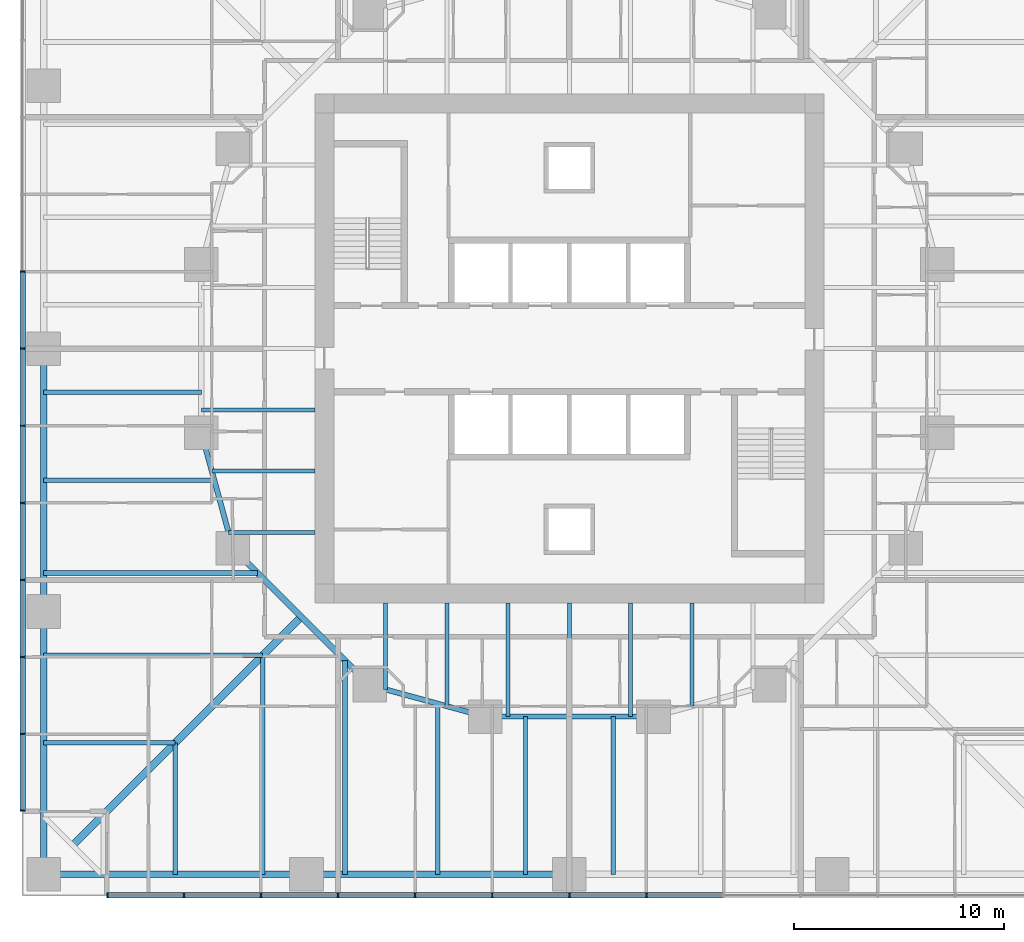
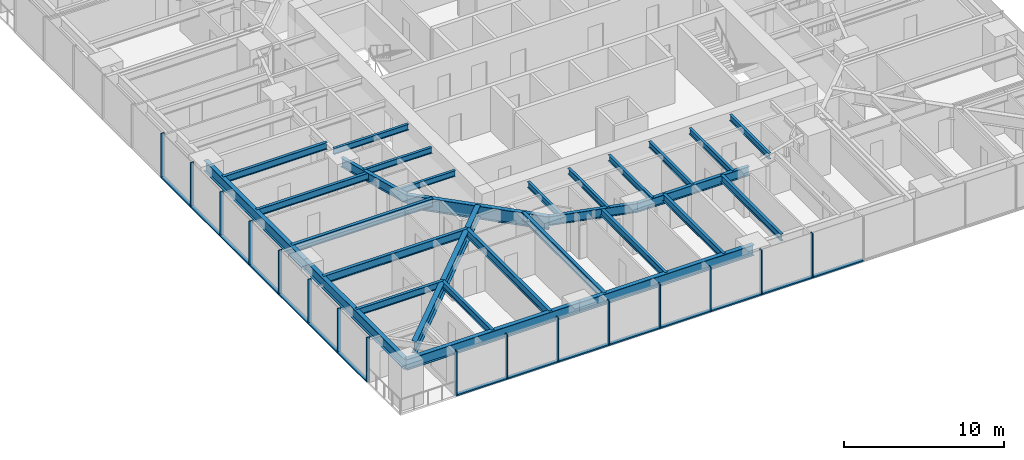
# One storey, part 2 of 17: 31 members, 29 beams, 2 elements without a shape of their own.
"""IFC4 building model written with IfcOpenShell, lengths in metres."""

from ifc_helpers import new_model, si_unit, direction, frame, origin, origin_2d, place, context, subcontext, project, spatial, rectangle, i_section, extrude, material, material_profile, profile_set, type_object, element, aggregate, save


model = new_model("IFC4")

# Units and contexts
model_context = context("Model", 3, precision=1e-05, world=origin(), true_north=direction((0.0, 1.0)))
body_context = subcontext(model_context, "Body", "Model", "MODEL_VIEW")
ifc_project = project(units=[si_unit("LENGTHUNIT", "METRE"), si_unit("AREAUNIT", "SQUARE_METRE"), si_unit("VOLUMEUNIT", "CUBIC_METRE"), si_unit("PLANEANGLEUNIT", "RADIAN"), si_unit("MASSUNIT", "GRAM", prefix="KILO")], contexts=[model_context])

# Site, building, storey
site_placement = place(None, origin())
site = spatial("IfcSite", under=ifc_project, at=site_placement, CompositionType="ELEMENT")
building_placement = place(site_placement, origin())
building = spatial("IfcBuilding", under=site, at=building_placement, Name="Torsade Residences", CompositionType="ELEMENT")
storey_placement = place(building_placement, frame((0.0, 0.0, 18.39990234375)))
storey = spatial("IfcBuildingStorey", under=building, at=storey_placement, Name="L04", CompositionType="ELEMENT", Elevation=18.39990234375)

# Beam
ifc_material_1 = material(Name="Steel grade 300", Category="steel")
ifc_material_profile_1 = material_profile(ifc_material_1, i_section(OverallWidth=0.35009765625, OverallDepth=0.909912109375, WebThickness=0.011962890625, FlangeThickness=0.02490234375, at=origin_2d()), Name="900WB218")
ifc_profile_set_1 = profile_set([ifc_material_profile_1], Name="Steel grade 300")
beam_type_1 = type_object("IfcBeamType", Name="CORNER GIRDER 900WB218", PredefinedType="BEAM", material=ifc_profile_set_1)
beam_1_placement = place(storey_placement, frame((16.375, 6.375, 2.795166015625), z_axis=(0.707106781187, 0.707106781187, 0.0), x_axis=(-0.707106781187, 0.707106781187, 0.0)))
element("IfcBeam", 1, at=beam_1_placement, inside=storey, type_object=beam_type_1, Name="Corner girder 01 L05", PredefinedType="BEAM", context=body_context, shape_type="SweptSolid", body=[
    extrude(i_section(OverallWidth=0.35009765625, OverallDepth=0.909912109375, WebThickness=0.011962890625, FlangeThickness=0.02490234375, at=origin_2d()), origin(), (0.0, 0.0, 1.0), 15.379638671875),
])

# Curtain wall, members
ifc_material_2 = material(Name="Aluminium and glass", Category="aluminium")
curtain_wall_type = type_object("IfcCurtainWallType", Name="FRITTED GLASS CURTAIN WALL LOW ZONE", PredefinedType="NOTDEFINED", material=ifc_material_2)
curtain_wall_1_placement = place(storey_placement, origin())
curtain_wall_1 = element("IfcCurtainWall", 2, at=curtain_wall_1_placement, inside=storey, type_object=curtain_wall_type, Name="Curtain wall L04 face 1", PredefinedType="NOTDEFINED")
ifc_material_3 = material(Name="Aluminium mullion", Category="aluminium")
ifc_material_profile_2 = material_profile(ifc_material_3, rectangle(XDim=0.25, YDim=0.06494140625, at=origin_2d()), Name="CURTAIN WALL MULLION 250x65")
ifc_profile_set_2 = profile_set([ifc_material_profile_2], Name="Aluminium mullion")
member_type_1 = type_object("IfcMemberType", Name="CURTAIN WALL MULLION 250x65", PredefinedType="MULLION", material=ifc_profile_set_2)
member_1_placement = place(storey_placement, frame((18.032470703125, 4.0, 0.0), z_axis=(0.0, 0.0, 1.0), x_axis=(0.0, 1.0, 0.0)))
member_1 = element("IfcMember", 3, at=member_1_placement, type_object=member_type_1, Name="Mullion 1", PredefinedType="MULLION", context=body_context, shape_type="SweptSolid", body=[
    extrude(rectangle(XDim=0.25, YDim=0.06494140625, at=origin_2d()), origin(), (0.0, 0.0, 1.0), 3.400146484375),
])
member_2_placement = place(storey_placement, frame((21.666748046875, 4.0, 0.0), z_axis=(0.0, 0.0, 1.0), x_axis=(0.0, 1.0, 0.0)))
member_2 = element("IfcMember", 4, at=member_2_placement, type_object=member_type_1, Name="Mullion 2", PredefinedType="MULLION", context=body_context, shape_type="SweptSolid", body=[
    extrude(rectangle(XDim=0.25, YDim=0.06494140625, at=origin_2d()), origin(), (0.0, 0.0, 1.0), 3.400146484375),
])
member_3_placement = place(storey_placement, frame((25.333251953125, 4.0, 0.0), z_axis=(0.0, 0.0, 1.0), x_axis=(0.0, 1.0, 0.0)))
member_3 = element("IfcMember", 5, at=member_3_placement, type_object=member_type_1, Name="Mullion 3", PredefinedType="MULLION", context=body_context, shape_type="SweptSolid", body=[
    extrude(rectangle(XDim=0.25, YDim=0.06494140625, at=origin_2d()), origin(), (0.0, 0.0, 1.0), 3.400146484375),
])
member_4_placement = place(storey_placement, frame((29.0, 4.0, 0.0), z_axis=(0.0, 0.0, 1.0), x_axis=(0.0, 1.0, 0.0)))
member_4 = element("IfcMember", 6, at=member_4_placement, type_object=member_type_1, Name="Mullion 4", PredefinedType="MULLION", context=body_context, shape_type="SweptSolid", body=[
    extrude(rectangle(XDim=0.25, YDim=0.06494140625, at=origin_2d()), origin(), (0.0, 0.0, 1.0), 3.400146484375),
])
member_5_placement = place(storey_placement, frame((32.666748046875, 4.0, 0.0), z_axis=(0.0, 0.0, 1.0), x_axis=(0.0, 1.0, 0.0)))
member_5 = element("IfcMember", 7, at=member_5_placement, type_object=member_type_1, Name="Mullion 5", PredefinedType="MULLION", context=body_context, shape_type="SweptSolid", body=[
    extrude(rectangle(XDim=0.25, YDim=0.06494140625, at=origin_2d()), origin(), (0.0, 0.0, 1.0), 3.400146484375),
])
member_6_placement = place(storey_placement, frame((36.333251953125, 4.0, 0.0), z_axis=(0.0, 0.0, 1.0), x_axis=(0.0, 1.0, 0.0)))
member_6 = element("IfcMember", 8, at=member_6_placement, type_object=member_type_1, Name="Mullion 6", PredefinedType="MULLION", context=body_context, shape_type="SweptSolid", body=[
    extrude(rectangle(XDim=0.25, YDim=0.06494140625, at=origin_2d()), origin(), (0.0, 0.0, 1.0), 3.400146484375),
])
member_7_placement = place(storey_placement, frame((40.0, 4.0, 0.0), z_axis=(0.0, 0.0, 1.0), x_axis=(0.0, 1.0, 0.0)))
member_7 = element("IfcMember", 9, at=member_7_placement, type_object=member_type_1, Name="Mullion 7", PredefinedType="MULLION", context=body_context, shape_type="SweptSolid", body=[
    extrude(rectangle(XDim=0.25, YDim=0.06494140625, at=origin_2d()), origin(), (0.0, 0.0, 1.0), 3.400146484375),
])
member_8_placement = place(storey_placement, frame((43.666748046875, 4.0, 0.0), z_axis=(0.0, 0.0, 1.0), x_axis=(0.0, 1.0, 0.0)))
member_8 = element("IfcMember", 10, at=member_8_placement, type_object=member_type_1, Name="Mullion 8", PredefinedType="MULLION", context=body_context, shape_type="SweptSolid", body=[
    extrude(rectangle(XDim=0.25, YDim=0.06494140625, at=origin_2d()), origin(), (0.0, 0.0, 1.0), 3.400146484375),
])

curtain_wall_2_placement = place(storey_placement, origin())
curtain_wall_2 = element("IfcCurtainWall", 11, at=curtain_wall_2_placement, inside=storey, type_object=curtain_wall_type, Name="Curtain wall L04 face 10", PredefinedType="NOTDEFINED")
member_9_placement = place(storey_placement, frame((14.0, 33.666748046875, 0.0), z_axis=(0.0, 0.0, 1.0), x_axis=(1.0, 0.0, 0.0)))
member_9 = element("IfcMember", 12, at=member_9_placement, type_object=member_type_1, Name="Mullion 6", PredefinedType="MULLION", context=body_context, shape_type="SweptSolid", body=[
    extrude(rectangle(XDim=0.25, YDim=0.06494140625, at=origin_2d()), origin(), (0.0, 0.0, 1.0), 3.400146484375),
])
member_10_placement = place(storey_placement, frame((14.0, 30.0, 0.0), z_axis=(0.0, 0.0, 1.0), x_axis=(1.0, 0.0, 0.0)))
member_10 = element("IfcMember", 13, at=member_10_placement, type_object=member_type_1, Name="Mullion 7", PredefinedType="MULLION", context=body_context, shape_type="SweptSolid", body=[
    extrude(rectangle(XDim=0.25, YDim=0.06494140625, at=origin_2d()), origin(), (0.0, 0.0, 1.0), 3.400146484375),
])
member_11_placement = place(storey_placement, frame((14.0, 26.333251953125, 0.0), z_axis=(0.0, 0.0, 1.0), x_axis=(1.0, 0.0, 0.0)))
member_11 = element("IfcMember", 14, at=member_11_placement, type_object=member_type_1, Name="Mullion 8", PredefinedType="MULLION", context=body_context, shape_type="SweptSolid", body=[
    extrude(rectangle(XDim=0.25, YDim=0.06494140625, at=origin_2d()), origin(), (0.0, 0.0, 1.0), 3.400146484375),
])
member_12_placement = place(storey_placement, frame((14.0, 22.666748046875, 0.0), z_axis=(0.0, 0.0, 1.0), x_axis=(1.0, 0.0, 0.0)))
member_12 = element("IfcMember", 15, at=member_12_placement, type_object=member_type_1, Name="Mullion 9", PredefinedType="MULLION", context=body_context, shape_type="SweptSolid", body=[
    extrude(rectangle(XDim=0.25, YDim=0.06494140625, at=origin_2d()), origin(), (0.0, 0.0, 1.0), 3.400146484375),
])
member_13_placement = place(storey_placement, frame((14.0, 19.0, 0.0), z_axis=(0.0, 0.0, 1.0), x_axis=(1.0, 0.0, 0.0)))
member_13 = element("IfcMember", 16, at=member_13_placement, type_object=member_type_1, Name="Mullion 10", PredefinedType="MULLION", context=body_context, shape_type="SweptSolid", body=[
    extrude(rectangle(XDim=0.25, YDim=0.06494140625, at=origin_2d()), origin(), (0.0, 0.0, 1.0), 3.400146484375),
])
member_14_placement = place(storey_placement, frame((14.0, 15.333251953125, 0.0), z_axis=(0.0, 0.0, 1.0), x_axis=(1.0, 0.0, 0.0)))
member_14 = element("IfcMember", 17, at=member_14_placement, type_object=member_type_1, Name="Mullion 11", PredefinedType="MULLION", context=body_context, shape_type="SweptSolid", body=[
    extrude(rectangle(XDim=0.25, YDim=0.06494140625, at=origin_2d()), origin(), (0.0, 0.0, 1.0), 3.400146484375),
])
member_15_placement = place(storey_placement, frame((14.0, 11.666748046875, 0.0), z_axis=(0.0, 0.0, 1.0), x_axis=(1.0, 0.0, 0.0)))
member_15 = element("IfcMember", 18, at=member_15_placement, type_object=member_type_1, Name="Mullion 12", PredefinedType="MULLION", context=body_context, shape_type="SweptSolid", body=[
    extrude(rectangle(XDim=0.25, YDim=0.06494140625, at=origin_2d()), origin(), (0.0, 0.0, 1.0), 3.400146484375),
])
member_16_placement = place(storey_placement, frame((14.0, 8.032470703125, 0.0), z_axis=(0.0, 0.0, 1.0), x_axis=(1.0, 0.0, 0.0)))
member_16 = element("IfcMember", 19, at=member_16_placement, type_object=member_type_1, Name="Mullion 13", PredefinedType="MULLION", context=body_context, shape_type="SweptSolid", body=[
    extrude(rectangle(XDim=0.25, YDim=0.06494140625, at=origin_2d()), origin(), (0.0, 0.0, 1.0), 3.400146484375),
])

# Member
ifc_material_4 = material(Name="Aluminium transom", Category="aluminium")
ifc_material_profile_3 = material_profile(ifc_material_4, rectangle(XDim=0.25, YDim=0.10009765625, at=origin_2d()), Name="CURTAIN WALL TRANSOM 250x100")
ifc_profile_set_3 = profile_set([ifc_material_profile_3], Name="Aluminium transom")
member_type_2 = type_object("IfcMemberType", Name="CURTAIN WALL TRANSOM 250x100", PredefinedType="USERDEFINED", material=ifc_profile_set_3)
member_17_placement = place(storey_placement, frame((18.06494140625, 4.0, 0.050048828125), z_axis=(1.0, 0.0, 0.0), x_axis=(0.0, 1.0, 0.0)))
member_17 = element("IfcMember", 20, at=member_17_placement, type_object=member_type_2, Name="Transom 1.1", ObjectType="TRANSOM", PredefinedType="USERDEFINED", context=body_context, shape_type="SweptSolid", body=[
    extrude(rectangle(XDim=0.25, YDim=0.10009765625, at=origin_2d()), origin(), (0.0, 0.0, 1.0), 3.5693359375),
])

member_18_placement = place(storey_placement, frame((21.69921875, 4.0, 0.050048828125), z_axis=(1.0, 0.0, 0.0), x_axis=(0.0, 1.0, 0.0)))
member_18 = element("IfcMember", 21, at=member_18_placement, type_object=member_type_2, Name="Transom 2.1", ObjectType="TRANSOM", PredefinedType="USERDEFINED", context=body_context, shape_type="SweptSolid", body=[
    extrude(rectangle(XDim=0.25, YDim=0.10009765625, at=origin_2d()), origin(), (0.0, 0.0, 1.0), 3.6015625),
])

member_19_placement = place(storey_placement, frame((25.36572265625, 4.0, 0.050048828125), z_axis=(1.0, 0.0, 0.0), x_axis=(0.0, 1.0, 0.0)))
member_19 = element("IfcMember", 22, at=member_19_placement, type_object=member_type_2, Name="Transom 3.1", ObjectType="TRANSOM", PredefinedType="USERDEFINED", context=body_context, shape_type="SweptSolid", body=[
    extrude(rectangle(XDim=0.25, YDim=0.10009765625, at=origin_2d()), origin(), (0.0, 0.0, 1.0), 3.601806640625),
])

member_20_placement = place(storey_placement, frame((29.032470703125, 4.0, 0.050048828125), z_axis=(1.0, 0.0, 0.0), x_axis=(0.0, 1.0, 0.0)))
member_20 = element("IfcMember", 23, at=member_20_placement, type_object=member_type_2, Name="Transom 4.1", ObjectType="TRANSOM", PredefinedType="USERDEFINED", context=body_context, shape_type="SweptSolid", body=[
    extrude(rectangle(XDim=0.25, YDim=0.10009765625, at=origin_2d()), origin(), (0.0, 0.0, 1.0), 3.601806640625),
])

member_21_placement = place(storey_placement, frame((32.69921875, 4.0, 0.050048828125), z_axis=(1.0, 0.0, 0.0), x_axis=(0.0, 1.0, 0.0)))
member_21 = element("IfcMember", 24, at=member_21_placement, type_object=member_type_2, Name="Transom 5.1", ObjectType="TRANSOM", PredefinedType="USERDEFINED", context=body_context, shape_type="SweptSolid", body=[
    extrude(rectangle(XDim=0.25, YDim=0.10009765625, at=origin_2d()), origin(), (0.0, 0.0, 1.0), 3.6015625),
])

member_22_placement = place(storey_placement, frame((36.36572265625, 4.0, 0.050048828125), z_axis=(1.0, 0.0, 0.0), x_axis=(0.0, 1.0, 0.0)))
member_22 = element("IfcMember", 25, at=member_22_placement, type_object=member_type_2, Name="Transom 6.1", ObjectType="TRANSOM", PredefinedType="USERDEFINED", context=body_context, shape_type="SweptSolid", body=[
    extrude(rectangle(XDim=0.25, YDim=0.10009765625, at=origin_2d()), origin(), (0.0, 0.0, 1.0), 3.601806640625),
])

member_23_placement = place(storey_placement, frame((40.032470703125, 4.0, 0.050048828125), z_axis=(1.0, 0.0, 0.0), x_axis=(0.0, 1.0, 0.0)))
member_23 = element("IfcMember", 26, at=member_23_placement, type_object=member_type_2, Name="Transom 7.1", ObjectType="TRANSOM", PredefinedType="USERDEFINED", context=body_context, shape_type="SweptSolid", body=[
    extrude(rectangle(XDim=0.25, YDim=0.10009765625, at=origin_2d()), origin(), (0.0, 0.0, 1.0), 3.601806640625),
])

member_24_placement = place(storey_placement, frame((43.69921875, 4.0, 0.050048828125), z_axis=(1.0, 0.0, 0.0), x_axis=(0.0, 1.0, 0.0)))
member_24 = element("IfcMember", 27, at=member_24_placement, type_object=member_type_2, Name="Transom 8.1", ObjectType="TRANSOM", PredefinedType="USERDEFINED", context=body_context, shape_type="SweptSolid", body=[
    extrude(rectangle(XDim=0.25, YDim=0.10009765625, at=origin_2d()), origin(), (0.0, 0.0, 1.0), 3.6015625),
])

aggregate(curtain_wall_1, [member_1, member_2, member_3, member_4, member_5, member_6, member_7, member_8, member_17, member_18, member_19, member_20, member_21, member_22, member_23, member_24])

member_25_placement = place(storey_placement, frame((14.0, 33.63427734375, 0.050048828125), z_axis=(0.0, -1.0, 0.0), x_axis=(1.0, 0.0, 0.0)))
member_25 = element("IfcMember", 28, at=member_25_placement, type_object=member_type_2, Name="Transom 6.1", ObjectType="TRANSOM", PredefinedType="USERDEFINED", context=body_context, shape_type="SweptSolid", body=[
    extrude(rectangle(XDim=0.25, YDim=0.10009765625, at=origin_2d()), origin(), (0.0, 0.0, 1.0), 3.601806640625),
])

member_26_placement = place(storey_placement, frame((14.0, 29.967529296875, 0.050048828125), z_axis=(0.0, -1.0, 0.0), x_axis=(1.0, 0.0, 0.0)))
member_26 = element("IfcMember", 29, at=member_26_placement, type_object=member_type_2, Name="Transom 7.1", ObjectType="TRANSOM", PredefinedType="USERDEFINED", context=body_context, shape_type="SweptSolid", body=[
    extrude(rectangle(XDim=0.25, YDim=0.10009765625, at=origin_2d()), origin(), (0.0, 0.0, 1.0), 3.601806640625),
])

member_27_placement = place(storey_placement, frame((14.0, 26.30078125, 0.050048828125), z_axis=(0.0, -1.0, 0.0), x_axis=(1.0, 0.0, 0.0)))
member_27 = element("IfcMember", 30, at=member_27_placement, type_object=member_type_2, Name="Transom 8.1", ObjectType="TRANSOM", PredefinedType="USERDEFINED", context=body_context, shape_type="SweptSolid", body=[
    extrude(rectangle(XDim=0.25, YDim=0.10009765625, at=origin_2d()), origin(), (0.0, 0.0, 1.0), 3.6015625),
])

member_28_placement = place(storey_placement, frame((14.0, 22.63427734375, 0.050048828125), z_axis=(0.0, -1.0, 0.0), x_axis=(1.0, 0.0, 0.0)))
member_28 = element("IfcMember", 31, at=member_28_placement, type_object=member_type_2, Name="Transom 9.1", ObjectType="TRANSOM", PredefinedType="USERDEFINED", context=body_context, shape_type="SweptSolid", body=[
    extrude(rectangle(XDim=0.25, YDim=0.10009765625, at=origin_2d()), origin(), (0.0, 0.0, 1.0), 3.601806640625),
])

member_29_placement = place(storey_placement, frame((14.0, 18.967529296875, 0.050048828125), z_axis=(0.0, -1.0, 0.0), x_axis=(1.0, 0.0, 0.0)))
member_29 = element("IfcMember", 32, at=member_29_placement, type_object=member_type_2, Name="Transom 10.1", ObjectType="TRANSOM", PredefinedType="USERDEFINED", context=body_context, shape_type="SweptSolid", body=[
    extrude(rectangle(XDim=0.25, YDim=0.10009765625, at=origin_2d()), origin(), (0.0, 0.0, 1.0), 3.601806640625),
])

member_30_placement = place(storey_placement, frame((14.0, 15.30078125, 0.050048828125), z_axis=(0.0, -1.0, 0.0), x_axis=(1.0, 0.0, 0.0)))
member_30 = element("IfcMember", 33, at=member_30_placement, type_object=member_type_2, Name="Transom 11.1", ObjectType="TRANSOM", PredefinedType="USERDEFINED", context=body_context, shape_type="SweptSolid", body=[
    extrude(rectangle(XDim=0.25, YDim=0.10009765625, at=origin_2d()), origin(), (0.0, 0.0, 1.0), 3.6015625),
])

member_31_placement = place(storey_placement, frame((14.0, 11.63427734375, 0.050048828125), z_axis=(0.0, -1.0, 0.0), x_axis=(1.0, 0.0, 0.0)))
member_31 = element("IfcMember", 34, at=member_31_placement, type_object=member_type_2, Name="Transom 12.1", ObjectType="TRANSOM", PredefinedType="USERDEFINED", context=body_context, shape_type="SweptSolid", body=[
    extrude(rectangle(XDim=0.25, YDim=0.10009765625, at=origin_2d()), origin(), (0.0, 0.0, 1.0), 3.5693359375),
])

aggregate(curtain_wall_2, [member_9, member_10, member_11, member_12, member_13, member_14, member_15, member_16, member_25, member_26, member_27, member_28, member_29, member_30, member_31])

# Beams
ifc_material_5 = material(Name="Steel grade 300", Category="steel")
ifc_material_profile_4 = material_profile(ifc_material_5, i_section(OverallWidth=0.300048828125, OverallDepth=0.81591796875, WebThickness=0.010009765625, FlangeThickness=0.028076171875, at=origin_2d()), Name="800WB192")
ifc_profile_set_4 = profile_set([ifc_material_profile_4], Name="Steel grade 300")
beam_type_2 = type_object("IfcBeamType", Name="EDGE BEAM 800WB192", PredefinedType="SPANDREL", material=ifc_profile_set_4)
for number, where, z_axis, x_axis, name in (
    (35, (15.0, 5.0, 2.842041015625), (1.0, 0.0, 0.0), (0.0, 1.0, 0.0), "Edge beam 01 L05"),
    (36, (27.5, 5.0, 2.842041015625), (1.0, 0.0, 0.0), (0.0, 1.0, 0.0), "Edge beam 02 L05"),
    (37, (15.0, 30.0, 2.842041015625), (0.0, -1.0, 0.0), (1.0, 0.0, 0.0), "Edge beam 15 L05"),
    (38, (15.0, 17.5, 2.842041015625), (0.0, -1.0, 0.0), (1.0, 0.0, 0.0), "Edge beam 16 L05"),
):
    element("IfcBeam", number, at=place(storey_placement, frame(where, z_axis=z_axis, x_axis=x_axis)), inside=storey, type_object=beam_type_2, Name=name, PredefinedType="SPANDREL", context=body_context, shape_type="SweptSolid", body=[
        extrude(i_section(OverallWidth=0.300048828125, OverallDepth=0.81591796875, WebThickness=0.010009765625, FlangeThickness=0.028076171875, at=origin_2d()), origin(), (0.0, 0.0, 1.0), 12.5),
    ])
ifc_material_6 = material(Name="Steel grade 300", Category="steel")
ifc_material_profile_5 = material_profile(ifc_material_6, i_section(OverallWidth=0.18994140625, OverallDepth=0.4541015625, WebThickness=0.008544921875, FlangeThickness=0.0126953125, FilletRadius=0.011474609375, at=origin_2d()), Name="460UB67.1")
ifc_profile_set_5 = profile_set([ifc_material_profile_5], Name="Steel grade 300")
beam_type_3 = type_object("IfcBeamType", Name="INNER FLOOR BEAM 460UB67.1", PredefinedType="JOIST", material=ifc_profile_set_5)
beam_2_placement = place(storey_placement, frame((45.824951171875, 17.89990234375, 3.023193359375), z_axis=(0.0, -1.0, 0.0), x_axis=(1.0, 0.0, 0.0)))
element("IfcBeam", 39, at=beam_2_placement, inside=storey, type_object=beam_type_3, Name="Inner floor beam IS02 L05", PredefinedType="JOIST", context=body_context, shape_type="SweptSolid", body=[
    extrude(i_section(OverallWidth=0.18994140625, OverallDepth=0.4541015625, WebThickness=0.008544921875, FlangeThickness=0.0126953125, FilletRadius=0.011474609375, at=origin_2d()), origin(), (0.0, 0.0, 1.0), 4.902099609375),
])
for number, where, z_axis, x_axis, name in (
    (40, (42.91259765625, 17.89990234375, 3.023193359375), (0.0, -1.0, 0.0), (1.0, 0.0, 0.0), "Inner floor beam IS03 L05"),
    (41, (40.0, 17.89990234375, 3.023193359375), (0.0, -1.0, 0.0), (1.0, 0.0, 0.0), "Inner floor beam IS04 L05"),
    (42, (37.08740234375, 17.89990234375, 3.023193359375), (0.0, -1.0, 0.0), (1.0, 0.0, 0.0), "Inner floor beam IS05 L05"),
):
    element("IfcBeam", number, at=place(storey_placement, frame(where, z_axis=z_axis, x_axis=x_axis)), inside=storey, type_object=beam_type_3, Name=name, PredefinedType="JOIST", context=body_context, shape_type="SweptSolid", body=[
        extrude(i_section(OverallWidth=0.18994140625, OverallDepth=0.4541015625, WebThickness=0.008544921875, FlangeThickness=0.0126953125, FilletRadius=0.011474609375, at=origin_2d()), origin(), (0.0, 0.0, 1.0), 5.39990234375),
    ])
beam_3_placement = place(storey_placement, frame((34.175048828125, 17.89990234375, 3.023193359375), z_axis=(0.0, -1.0, 0.0), x_axis=(1.0, 0.0, 0.0)))
element("IfcBeam", 43, at=beam_3_placement, inside=storey, type_object=beam_type_3, Name="Inner floor beam IS06 L05", PredefinedType="JOIST", context=body_context, shape_type="SweptSolid", body=[
    extrude(i_section(OverallWidth=0.18994140625, OverallDepth=0.4541015625, WebThickness=0.008544921875, FlangeThickness=0.0126953125, FilletRadius=0.011474609375, at=origin_2d()), origin(), (0.0, 0.0, 1.0), 4.902099609375),
])
beam_4_placement = place(storey_placement, frame((31.262451171875, 17.89990234375, 3.023193359375), z_axis=(0.0, -1.0, 0.0), x_axis=(1.0, 0.0, 0.0)))
element("IfcBeam", 44, at=beam_4_placement, inside=storey, type_object=beam_type_3, Name="Inner floor beam IS07 L05", PredefinedType="JOIST", context=body_context, shape_type="SweptSolid", body=[
    extrude(i_section(OverallWidth=0.18994140625, OverallDepth=0.4541015625, WebThickness=0.008544921875, FlangeThickness=0.0126953125, FilletRadius=0.011474609375, at=origin_2d()), origin(), (0.0, 0.0, 1.0), 4.10791015625),
])
beam_5_placement = place(storey_placement, frame((27.89990234375, 27.08740234375, 3.023193359375), z_axis=(-1.0, 0.0, 0.0), x_axis=(0.0, -1.0, 0.0)))
element("IfcBeam", 45, at=beam_5_placement, inside=storey, type_object=beam_type_3, Name="Inner floor beam IW05 L05", PredefinedType="JOIST", context=body_context, shape_type="SweptSolid", body=[
    extrude(i_section(OverallWidth=0.18994140625, OverallDepth=0.4541015625, WebThickness=0.008544921875, FlangeThickness=0.0126953125, FilletRadius=0.011474609375, at=origin_2d()), origin(), (0.0, 0.0, 1.0), 5.39990234375),
])
beam_6_placement = place(storey_placement, frame((27.89990234375, 24.175048828125, 3.023193359375), z_axis=(-1.0, 0.0, 0.0), x_axis=(0.0, -1.0, 0.0)))
element("IfcBeam", 46, at=beam_6_placement, inside=storey, type_object=beam_type_3, Name="Inner floor beam IW06 L05", PredefinedType="JOIST", context=body_context, shape_type="SweptSolid", body=[
    extrude(i_section(OverallWidth=0.18994140625, OverallDepth=0.4541015625, WebThickness=0.008544921875, FlangeThickness=0.0126953125, FilletRadius=0.011474609375, at=origin_2d()), origin(), (0.0, 0.0, 1.0), 4.902099609375),
])
beam_7_placement = place(storey_placement, frame((27.89990234375, 21.262451171875, 3.023193359375), z_axis=(-1.0, 0.0, 0.0), x_axis=(0.0, -1.0, 0.0)))
element("IfcBeam", 47, at=beam_7_placement, inside=storey, type_object=beam_type_3, Name="Inner floor beam IW07 L05", PredefinedType="JOIST", context=body_context, shape_type="SweptSolid", body=[
    extrude(i_section(OverallWidth=0.18994140625, OverallDepth=0.4541015625, WebThickness=0.008544921875, FlangeThickness=0.0126953125, FilletRadius=0.011474609375, at=origin_2d()), origin(), (0.0, 0.0, 1.0), 4.10791015625),
])
ifc_material_7 = material(Name="Steel grade 300", Category="steel")
ifc_material_profile_6 = material_profile(ifc_material_7, i_section(OverallWidth=0.300048828125, OverallDepth=1.0, WebThickness=0.01611328125, FlangeThickness=0.028076171875, at=origin_2d()), Name="1000WB215")
ifc_profile_set_6 = profile_set([ifc_material_profile_6], Name="Steel grade 300")
beam_type_4 = type_object("IfcBeamType", Name="RING CORNER GIRDER 1000WB215", PredefinedType="BEAM", material=ifc_profile_set_6)
beam_8_placement = place(storey_placement, frame((24.0, 20.5, 2.75), z_axis=(0.707106781187, -0.707106781187, 0.0), x_axis=(0.707106781187, 0.707106781187, 0.0)))
element("IfcBeam", 48, at=beam_8_placement, inside=storey, type_object=beam_type_4, Name="Ring girder IR11 L05", PredefinedType="BEAM", context=body_context, shape_type="SweptSolid", body=[
    extrude(i_section(OverallWidth=0.300048828125, OverallDepth=1.0, WebThickness=0.01611328125, FlangeThickness=0.028076171875, at=origin_2d()), origin(), (0.0, 0.0, 1.0), 9.1923828125),
])
ifc_material_8 = material(Name="Steel grade 300", Category="steel")
ifc_material_profile_7 = material_profile(ifc_material_8, i_section(OverallWidth=0.25, OverallDepth=0.699951171875, WebThickness=0.010009765625, FlangeThickness=0.02001953125, at=origin_2d()), Name="700WB130")
ifc_profile_set_7 = profile_set([ifc_material_profile_7], Name="Steel grade 300")
beam_type_5 = type_object("IfcBeamType", Name="RING GIRDER 700WB130", PredefinedType="BEAM", material=ifc_profile_set_7)
for number, where, z_axis, x_axis, name in (
    (49, (22.5, 26.0, 2.900146484375), (0.263117405792, -0.964763821238, 0.0), (0.964763821238, 0.263117405792, 0.0), "Ring girder IR10 L05"),
    (50, (30.5, 14.0, 2.900146484375), (0.964763821238, -0.263117405792, 0.0), (0.263117405792, 0.964763821238, 0.0), "Ring girder IR12 L05"),
):
    element("IfcBeam", number, at=place(storey_placement, frame(where, z_axis=z_axis, x_axis=x_axis)), inside=storey, type_object=beam_type_5, Name=name, PredefinedType="BEAM", context=body_context, shape_type="SweptSolid", body=[
        extrude(i_section(OverallWidth=0.25, OverallDepth=0.699951171875, WebThickness=0.010009765625, FlangeThickness=0.02001953125, at=origin_2d()), origin(), (0.0, 0.0, 1.0), 5.700927734375),
    ])
beam_9_placement = place(storey_placement, frame((36.0, 12.5, 2.900146484375), z_axis=(1.0, 0.0, 0.0), x_axis=(0.0, 1.0, 0.0)))
element("IfcBeam", 51, at=beam_9_placement, inside=storey, type_object=beam_type_5, Name="Ring girder IR13 L05", PredefinedType="BEAM", context=body_context, shape_type="SweptSolid", body=[
    extrude(i_section(OverallWidth=0.25, OverallDepth=0.699951171875, WebThickness=0.010009765625, FlangeThickness=0.02001953125, at=origin_2d()), origin(), (0.0, 0.0, 1.0), 8.0),
])
ifc_material_9 = material(Name="Steel grade 300", Category="steel")
ifc_material_profile_8 = material_profile(ifc_material_9, i_section(OverallWidth=0.208984375, OverallDepth=0.528076171875, WebThickness=0.009521484375, FlangeThickness=0.01318359375, FilletRadius=0.013916015625, at=origin_2d()), Name="530UB82.0")
ifc_profile_set_8 = profile_set([ifc_material_profile_8], Name="Steel grade 300")
beam_type_6 = type_object("IfcBeamType", Name="SECONDARY BEAM 530UB82.0", PredefinedType="JOIST", material=ifc_profile_set_8)
beam_10_placement = place(storey_placement, frame((21.25, 5.0, 2.986083984375), z_axis=(0.0, 1.0, 0.0), x_axis=(-1.0, 0.0, 0.0)))
element("IfcBeam", 52, at=beam_10_placement, inside=storey, type_object=beam_type_6, Name="Floor beam FS02 L05", PredefinedType="JOIST", context=body_context, shape_type="SweptSolid", body=[
    extrude(i_section(OverallWidth=0.208984375, OverallDepth=0.528076171875, WebThickness=0.009521484375, FlangeThickness=0.01318359375, FilletRadius=0.013916015625, at=origin_2d()), origin(), (0.0, 0.0, 1.0), 6.25),
])
beam_11_placement = place(storey_placement, frame((33.75, 5.0, 2.986083984375), z_axis=(0.0, 1.0, 0.0), x_axis=(-1.0, 0.0, 0.0)))
element("IfcBeam", 53, at=beam_11_placement, inside=storey, type_object=beam_type_6, Name="Floor beam FS05 L05", PredefinedType="JOIST", context=body_context, shape_type="SweptSolid", body=[
    extrude(i_section(OverallWidth=0.208984375, OverallDepth=0.528076171875, WebThickness=0.009521484375, FlangeThickness=0.01318359375, FilletRadius=0.013916015625, at=origin_2d()), origin(), (0.0, 0.0, 1.0), 8.113525390625),
])
for number, where, z_axis, x_axis, name in (
    (54, (37.916748046875, 5.0, 2.986083984375), (0.0, 1.0, 0.0), (-1.0, 0.0, 0.0), "Floor beam FS06 L05"),
    (55, (42.083251953125, 5.0, 2.986083984375), (0.0, 1.0, 0.0), (-1.0, 0.0, 0.0), "Floor beam FS07 L05"),
    (56, (15.0, 27.916748046875, 2.986083984375), (1.0, 0.0, 0.0), (0.0, 1.0, 0.0), "Floor beam FW07 L05"),
):
    element("IfcBeam", number, at=place(storey_placement, frame(where, z_axis=z_axis, x_axis=x_axis)), inside=storey, type_object=beam_type_6, Name=name, PredefinedType="JOIST", context=body_context, shape_type="SweptSolid", body=[
        extrude(i_section(OverallWidth=0.208984375, OverallDepth=0.528076171875, WebThickness=0.009521484375, FlangeThickness=0.01318359375, FilletRadius=0.013916015625, at=origin_2d()), origin(), (0.0, 0.0, 1.0), 7.5),
    ])
beam_12_placement = place(storey_placement, frame((15.0, 23.75, 2.986083984375), z_axis=(1.0, 0.0, 0.0), x_axis=(0.0, 1.0, 0.0)))
element("IfcBeam", 57, at=beam_12_placement, inside=storey, type_object=beam_type_6, Name="Floor beam FW08 L05", PredefinedType="JOIST", context=body_context, shape_type="SweptSolid", body=[
    extrude(i_section(OverallWidth=0.208984375, OverallDepth=0.528076171875, WebThickness=0.009521484375, FlangeThickness=0.01318359375, FilletRadius=0.013916015625, at=origin_2d()), origin(), (0.0, 0.0, 1.0), 8.113525390625),
])
beam_13_placement = place(storey_placement, frame((15.0, 11.25, 2.986083984375), z_axis=(1.0, 0.0, 0.0), x_axis=(0.0, 1.0, 0.0)))
element("IfcBeam", 58, at=beam_13_placement, inside=storey, type_object=beam_type_6, Name="Floor beam FW11 L05", PredefinedType="JOIST", context=body_context, shape_type="SweptSolid", body=[
    extrude(i_section(OverallWidth=0.208984375, OverallDepth=0.528076171875, WebThickness=0.009521484375, FlangeThickness=0.01318359375, FilletRadius=0.013916015625, at=origin_2d()), origin(), (0.0, 0.0, 1.0), 6.25),
])
ifc_material_10 = material(Name="Steel grade 300", Category="steel")
ifc_material_profile_9 = material_profile(ifc_material_10, i_section(OverallWidth=0.22900390625, OverallDepth=0.612060546875, WebThickness=0.011962890625, FlangeThickness=0.01953125, FilletRadius=0.013916015625, at=origin_2d()), Name="610UB125")
ifc_profile_set_9 = profile_set([ifc_material_profile_9], Name="Steel grade 300")
beam_type_7 = type_object("IfcBeamType", Name="SECONDARY BEAM 610UB125", PredefinedType="JOIST", material=ifc_profile_set_9)
beam_14_placement = place(storey_placement, frame((25.416748046875, 5.0, 2.944091796875), z_axis=(0.0, 1.0, 0.0), x_axis=(-1.0, 0.0, 0.0)))
element("IfcBeam", 59, at=beam_14_placement, inside=storey, type_object=beam_type_7, Name="Floor beam FS03 L05", PredefinedType="JOIST", context=body_context, shape_type="SweptSolid", body=[
    extrude(i_section(OverallWidth=0.22900390625, OverallDepth=0.612060546875, WebThickness=0.011962890625, FlangeThickness=0.01953125, FilletRadius=0.013916015625, at=origin_2d()), origin(), (0.0, 0.0, 1.0), 10.416748046875),
])
for number, where, z_axis, x_axis, name in (
    (60, (29.333251953125, 5.0, 2.944091796875), (0.0, 1.0, 0.0), (-1.0, 0.0, 0.0), "Floor beam FS04 L05"),
    (61, (15.0, 19.333251953125, 2.944091796875), (1.0, 0.0, 0.0), (0.0, 1.0, 0.0), "Floor beam FW09 L05"),
):
    element("IfcBeam", number, at=place(storey_placement, frame(where, z_axis=z_axis, x_axis=x_axis)), inside=storey, type_object=beam_type_7, Name=name, PredefinedType="JOIST", context=body_context, shape_type="SweptSolid", body=[
        extrude(i_section(OverallWidth=0.22900390625, OverallDepth=0.612060546875, WebThickness=0.011962890625, FlangeThickness=0.01953125, FilletRadius=0.013916015625, at=origin_2d()), origin(), (0.0, 0.0, 1.0), 10.166748046875),
    ])
beam_15_placement = place(storey_placement, frame((15.0, 15.416748046875, 2.944091796875), z_axis=(1.0, 0.0, 0.0), x_axis=(0.0, 1.0, 0.0)))
element("IfcBeam", 62, at=beam_15_placement, inside=storey, type_object=beam_type_7, Name="Floor beam FW10 L05", PredefinedType="JOIST", context=body_context, shape_type="SweptSolid", body=[
    extrude(i_section(OverallWidth=0.22900390625, OverallDepth=0.612060546875, WebThickness=0.011962890625, FlangeThickness=0.01953125, FilletRadius=0.013916015625, at=origin_2d()), origin(), (0.0, 0.0, 1.0), 10.416748046875),
])

save(model, "model.ifc")
